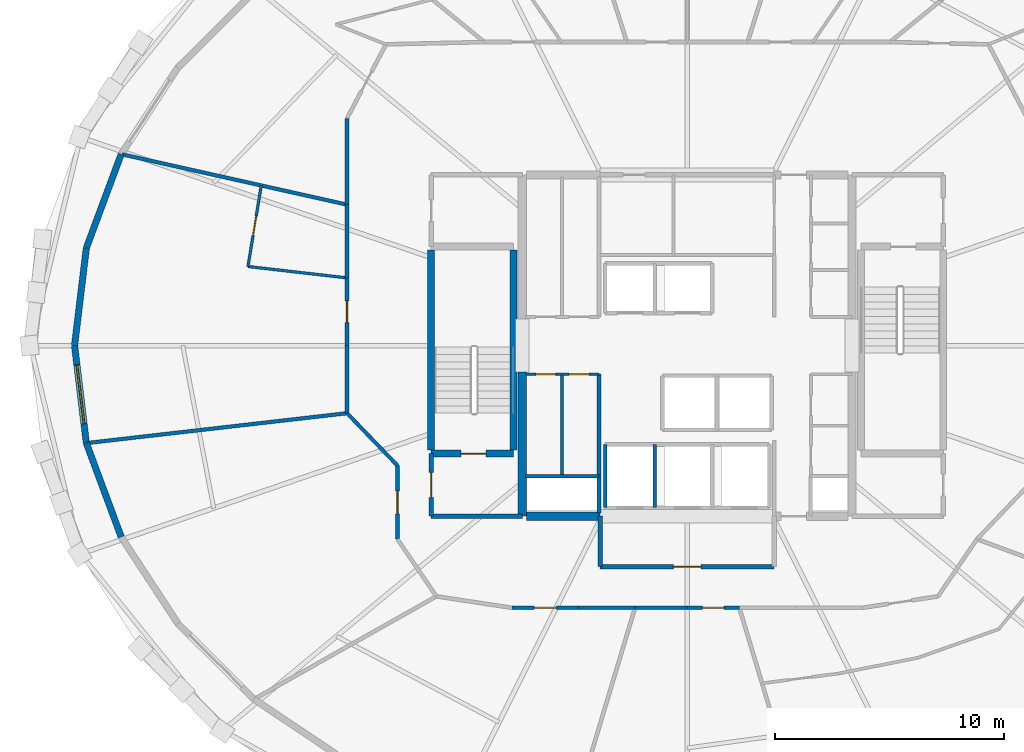
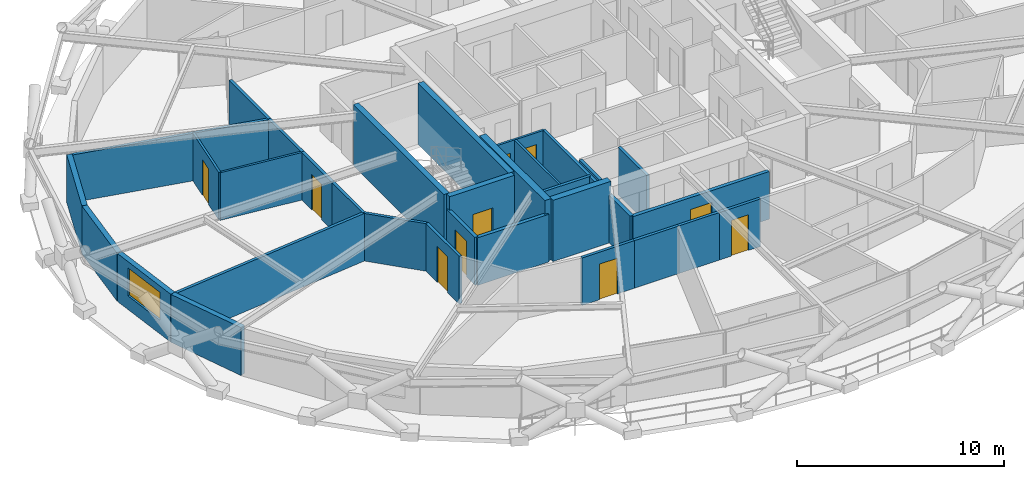
# One storey, part 13 of 20: 33 walls, 10 doors, 1 window, 11 openings.
"""IFC4 building model written with IfcOpenShell, lengths in metres."""

from ifc_helpers import new_model, si_unit, direction, frame, frame_2d, origin, place, context, subcontext, project, spatial, rectangle, extrude, material, layer, layer_set, type_object, element, fill, save


model = new_model("IFC4")

# Units and contexts
model_context = context("Model", 3, precision=1e-05, world=origin(), true_north=direction((0.0, 1.0)))
body_context = subcontext(model_context, "Body", "Model", "MODEL_VIEW")
ifc_project = project(units=[si_unit("LENGTHUNIT", "METRE"), si_unit("AREAUNIT", "SQUARE_METRE"), si_unit("VOLUMEUNIT", "CUBIC_METRE"), si_unit("PLANEANGLEUNIT", "RADIAN"), si_unit("MASSUNIT", "GRAM", prefix="KILO")], contexts=[model_context])

# Site, building, storey
site_placement = place(None, origin())
site = spatial("IfcSite", under=ifc_project, at=site_placement, CompositionType="ELEMENT")
building_placement = place(site_placement, origin())
building = spatial("IfcBuilding", under=site, at=building_placement, Name="Veldorina Hangang Commons", CompositionType="ELEMENT")
storey_placement = place(building_placement, frame((0.0, 0.0, 117.199951171875)))
storey = spatial("IfcBuildingStorey", under=building, at=storey_placement, Name="L29", CompositionType="ELEMENT", Elevation=117.199951171875)

# Walls
ifc_material_1 = material(Name="Concrete C60/75", Category="concrete")
ifc_layer_1 = layer(ifc_material_1, 0.360107421875)
ifc_layer_set_1 = layer_set([ifc_layer_1], Name="Concrete C60/75")
wall_type_1 = type_object("IfcWallType", Name="CW-RC360-C60", PredefinedType="SHEAR", material=ifc_layer_set_1)
wall_1_placement = place(storey_placement, frame((24.800048828125, 16.550048828125, 0.0), z_axis=(0.0, 0.0, 1.0), x_axis=(0.0, 1.0, 0.0)))
element("IfcWall", 1, at=wall_1_placement, inside=storey, type_object=wall_type_1, Name="L29 W south core shear wall", PredefinedType="SHEAR", context=body_context, shape_type="SweptSolid", body=[
    extrude(rectangle(XDim=6.300048828125, YDim=0.360107421875, at=frame_2d((3.14990234375, 0.0))), origin(), (0.0, 0.0, 1.0), 3.60009765625),
])
wall_2_placement = place(storey_placement, frame((24.97998046875, 16.550048828125, 0.0), z_axis=(0.0, 0.0, 1.0), x_axis=(1.0, 0.0, 0.0)))
element("IfcWall", 2, at=wall_2_placement, inside=storey, type_object=wall_type_1, Name="L29 south-west core shear wall", PredefinedType="SHEAR", context=body_context, shape_type="SweptSolid", body=[
    extrude(rectangle(XDim=3.219970703125, YDim=0.360107421875, at=frame_2d((1.60986328125, 0.0))), origin(), (0.0, 0.0, 1.0), 3.60009765625),
])
ifc_material_2 = material(Name="Stone Roman Travertine", Category="masonry")
ifc_layer_2 = layer(ifc_material_2, 0.280029296875)
ifc_layer_set_2 = layer_set([ifc_layer_2], Name="Stone Roman Travertine")
wall_type_2 = type_object("IfcWallType", Name="EW-TRAV-280", PredefinedType="STANDARD", material=ifc_layer_set_2)
wall_3_placement = place(storey_placement, frame((7.28955078125, 32.355712890625, 0.0), z_axis=(0.0, 0.0, 1.0), x_axis=(-0.34836047158, -0.937360646625, 0.0)))
element("IfcWall", 3, at=wall_3_placement, inside=storey, type_object=wall_type_2, Name="L29 travertine facade wall 14", PredefinedType="STANDARD", context=body_context, shape_type="SweptSolid", body=[
    extrude(rectangle(XDim=4.36962890625, YDim=0.280029296875, at=frame_2d((2.184814453125, 0.0))), origin(), (0.0, 0.0, 1.0), 2.820068359375),
])
wall_4_placement = place(storey_placement, frame((5.767333984375, 28.259765625, 0.0), z_axis=(0.0, 0.0, 1.0), x_axis=(-0.119775679937, -0.992800980306, 0.0)))
element("IfcWall", 4, at=wall_4_placement, inside=storey, type_object=wall_type_2, Name="L29 travertine facade wall 15", PredefinedType="STANDARD", context=body_context, shape_type="SweptSolid", body=[
    extrude(rectangle(XDim=4.290771484375, YDim=0.280029296875, at=frame_2d((2.1455078125, 0.0))), origin(), (0.0, 0.0, 1.0), 2.820068359375),
])

# Wall, opening, window
wall_5_placement = place(storey_placement, frame((5.25341796875, 24.0, 0.0), z_axis=(0.0, 0.0, 1.0), x_axis=(0.119775679937, -0.992800980306, 0.0)))
wall_5 = element("IfcWall", 5, at=wall_5_placement, inside=storey, type_object=wall_type_2, Name="L29 travertine facade wall 16", PredefinedType="STANDARD", context=body_context, shape_type="SweptSolid", body=[
    extrude(rectangle(XDim=4.290771484375, YDim=0.280029296875, at=frame_2d((2.1455078125, 0.0))), origin(), (0.0, 0.0, 1.0), 2.820068359375),
])
opening_1_placement = place(wall_5_placement, frame((0.84521484375, 0.0, 0.800048828125)))
opening_1 = element("IfcOpeningElement", 6, at=opening_1_placement, cuts=wall_5, Name="Opening W-02", PredefinedType="OPENING", context=body_context, shape_type="SweptSolid", body=[
    extrude(rectangle(XDim=2.60009765625, YDim=1.64990234375, at=frame_2d((1.300048828125, 0.824951171875))), frame((0.0, 0.14990234375, 0.0), z_axis=(0.0, -1.0, 0.0), x_axis=(1.0, 0.0, 0.0)), (0.0, 0.0, 1.0), 0.300048828125),
])
ifc_material_3 = material(Name="Glass Low-E Triple IGU", Category="glass")
window_type = type_object("IfcWindowType", Name="WIN-TWR-2600", PartitioningType="SINGLE_PANEL", PredefinedType="WINDOW", material=ifc_material_3)
window_placement = place(opening_1_placement, origin())
window = element("IfcWindow", 7, at=window_placement, inside=storey, type_object=window_type, Name="L29 facade window 16", OverallHeight=1.64990234375, OverallWidth=2.60009765625, PartitioningType="SINGLE_PANEL", PredefinedType="WINDOW", context=body_context, shape_type="SweptSolid", body=[
    extrude(rectangle(XDim=2.60009765625, YDim=1.64990234375, at=frame_2d((1.300048828125, 0.824951171875))), frame((0.0, 0.030029296875, 0.0), z_axis=(0.0, -1.0, 0.0), x_axis=(1.0, 0.0, 0.0)), (0.0, 0.0, 1.0), 0.06005859375),
])
fill(opening_1, window)

# Walls
wall_6_placement = place(storey_placement, frame((5.767333984375, 19.740234375, 0.0), z_axis=(0.0, 0.0, 1.0), x_axis=(0.34836047158, -0.937360646625, 0.0)))
element("IfcWall", 8, at=wall_6_placement, inside=storey, type_object=wall_type_2, Name="L29 travertine facade wall 17", PredefinedType="STANDARD", context=body_context, shape_type="SweptSolid", body=[
    extrude(rectangle(XDim=4.36962890625, YDim=0.280029296875, at=frame_2d((2.184814453125, 0.0))), origin(), (0.0, 0.0, 1.0), 2.820068359375),
])
ifc_material_4 = material(Name="Concrete C50/60", Category="concrete")
ifc_layer_3 = layer(ifc_material_4, 0.300048828125)
ifc_layer_set_3 = layer_set([ifc_layer_3], Name="Concrete C50/60")
wall_type_3 = type_object("IfcWallType", Name="SW-STAIR-300", PredefinedType="SHEAR", material=ifc_layer_set_3)
for number, where, z_axis, x_axis, name in (
    (9, (20.820068359375, 19.429931640625, 0.0), (0.0, 0.0, 1.0), (0.0, 1.0, 0.0), "L29 ST1 outer stair shear wall"),
    (10, (24.419921875, 19.429931640625, 0.0), (0.0, 0.0, 1.0), (0.0, 1.0, 0.0), "L29 ST1 inner stair shear wall"),
):
    element("IfcWall", number, at=place(storey_placement, frame(where, z_axis=z_axis, x_axis=x_axis)), inside=storey, type_object=wall_type_3, Name=name, PredefinedType="SHEAR", context=body_context, shape_type="SweptSolid", body=[
        extrude(rectangle(XDim=8.739990234375, YDim=0.300048828125, at=frame_2d((4.3701171875, 0.0))), origin(), (0.0, 0.0, 1.0), 3.60009765625),
    ])

# Wall, opening, door
wall_7_placement = place(storey_placement, frame((20.820068359375, 19.280029296875, 0.0), z_axis=(0.0, 0.0, 1.0), x_axis=(1.0, 0.0, 0.0)))
wall_7 = element("IfcWall", 11, at=wall_7_placement, inside=storey, type_object=wall_type_3, Name="L29 ST1 south stair shear wall", PredefinedType="SHEAR", context=body_context, shape_type="SweptSolid", body=[
    extrude(rectangle(XDim=3.599853515625, YDim=0.300048828125, at=frame_2d((1.7998046875, 0.0))), origin(), (0.0, 0.0, 1.0), 3.60009765625),
])
opening_2_placement = place(wall_7_placement, frame((1.300048828125, 0.0, 0.0)))
opening_2 = element("IfcOpeningElement", 12, at=opening_2_placement, cuts=wall_7, Name="Opening D-08", PredefinedType="OPENING", context=body_context, shape_type="SweptSolid", body=[
    extrude(rectangle(XDim=1.10009765625, YDim=2.10009765625, at=frame_2d((0.550048828125, 1.050048828125))), frame((0.0, 0.16015625, 0.0), z_axis=(0.0, -1.0, 0.0), x_axis=(1.0, 0.0, 0.0)), (0.0, 0.0, 1.0), 0.320068359375),
])
ifc_material_5 = material(Name="Steel Fire-Rated Smoke Seal", Category="steel")
door_type_1 = type_object("IfcDoorType", Name="DR-FIRE-1100", OperationType="SINGLE_SWING_RIGHT", PredefinedType="DOOR", material=ifc_material_5)
door_1_placement = place(opening_2_placement, origin())
door_1 = element("IfcDoor", 13, at=door_1_placement, inside=storey, type_object=door_type_1, Name="L29 Special Escape Stair ST-1 door", OperationType="SINGLE_SWING_LEFT", OverallHeight=2.10009765625, OverallWidth=1.10009765625, PredefinedType="DOOR", context=body_context, shape_type="SweptSolid", body=[
    extrude(rectangle(XDim=1.10009765625, YDim=2.10009765625, at=frame_2d((0.550048828125, 1.050048828125))), frame((0.0, 0.02490234375, 0.0), z_axis=(0.0, -1.0, 0.0), x_axis=(1.0, 0.0, 0.0)), (0.0, 0.0, 1.0), 0.050048828125),
])
fill(opening_2, door_1)

# Walls
ifc_material_6 = material(Name="Gypsum Fire-Rated Twin Stud Wall", Category="gypsum")
ifc_layer_4 = layer(ifc_material_6, 0.159912109375)
ifc_layer_set_4 = layer_set([ifc_layer_4], Name="Gypsum Fire-Rated Twin Stud Wall")
wall_type_4 = type_object("IfcWallType", Name="WL-FIRE-160", PredefinedType="SOLIDWALL", material=ifc_layer_set_4)
for number, where, z_axis, x_axis, name in (
    (14, (28.419921875, 16.919921875, 0.0), (0.0, 0.0, 1.0), (0.0, 1.0, 0.0), "L29 FFL-1 west shaft wall 027"),
    (15, (30.580078125, 16.919921875, 0.0), (0.0, 0.0, 1.0), (0.0, 1.0, 0.0), "L29 FFL-1 east shaft wall 028"),
):
    element("IfcWall", number, at=place(storey_placement, frame(where, z_axis=z_axis, x_axis=x_axis)), inside=storey, type_object=wall_type_4, Name=name, PredefinedType="SOLIDWALL", context=body_context, shape_type="SweptSolid", body=[
        extrude(rectangle(XDim=2.760009765625, YDim=0.159912109375, at=frame_2d((1.3798828125, 0.0))), origin(), (0.0, 0.0, 1.0), 2.800048828125),
    ])
wall_8_placement = place(storey_placement, frame((24.949951171875, 18.300048828125, 0.0), z_axis=(0.0, 0.0, 1.0), x_axis=(1.0, 0.0, 0.0)))
element("IfcWall", 16, at=wall_8_placement, inside=storey, type_object=wall_type_4, Name="L29 Electrical riser wall 035", PredefinedType="SOLIDWALL", context=body_context, shape_type="SweptSolid", body=[
    extrude(rectangle(XDim=3.199951171875, YDim=0.159912109375, at=frame_2d((1.60009765625, 0.0))), origin(), (0.0, 0.0, 1.0), 2.800048828125),
])
wall_9_placement = place(storey_placement, frame((28.14990234375, 16.699951171875, 0.0), z_axis=(0.0, 0.0, 1.0), x_axis=(0.0, 1.0, 0.0)))
element("IfcWall", 17, at=wall_9_placement, inside=storey, type_object=wall_type_4, Name="L29 SW core inner wall 036", PredefinedType="SOLIDWALL", context=body_context, shape_type="SweptSolid", body=[
    extrude(rectangle(XDim=6.050048828125, YDim=0.159912109375, at=frame_2d((3.02490234375, 0.0))), origin(), (0.0, 0.0, 1.0), 2.800048828125),
])
wall_10_placement = place(storey_placement, frame((17.14990234375, 33.922607421875, 0.0), z_axis=(0.0, 0.0, 1.0), x_axis=(0.0, -1.0, 0.0)))
element("IfcWall", 18, at=wall_10_placement, inside=storey, type_object=wall_type_4, Name="L29 U-corridor outer wall 13 063", PredefinedType="SOLIDWALL", context=body_context, shape_type="SweptSolid", body=[
    extrude(rectangle(XDim=3.771484375, YDim=0.159912109375, at=frame_2d((1.8857421875, 0.0))), origin(), (0.0, 0.0, 1.0), 2.800048828125),
])
wall_11_placement = place(storey_placement, frame((17.14990234375, 30.151123046875, 0.0), z_axis=(0.0, 0.0, 1.0), x_axis=(0.0, -1.0, 0.0)))
element("IfcWall", 19, at=wall_11_placement, inside=storey, type_object=wall_type_4, Name="L29 U-corridor outer wall 14 064", PredefinedType="SOLIDWALL", context=body_context, shape_type="SweptSolid", body=[
    extrude(rectangle(XDim=3.197265625, YDim=0.159912109375, at=frame_2d((1.5986328125, 0.0))), origin(), (0.0, 0.0, 1.0), 2.800048828125),
])

# Wall, opening, door
wall_12_placement = place(storey_placement, frame((17.14990234375, 26.953857421875, 0.0), z_axis=(0.0, 0.0, 1.0), x_axis=(0.0, -1.0, 0.0)))
wall_12 = element("IfcWall", 20, at=wall_12_placement, inside=storey, type_object=wall_type_4, Name="L29 U-corridor outer wall 15 065", PredefinedType="SOLIDWALL", context=body_context, shape_type="SweptSolid", body=[
    extrude(rectangle(XDim=2.953857421875, YDim=0.159912109375, at=frame_2d((1.47705078125, 0.0))), origin(), (0.0, 0.0, 1.0), 2.800048828125),
])
opening_3_placement = place(wall_12_placement, frame((1.001953125, 0.0, 0.0)))
opening_3 = element("IfcOpeningElement", 21, at=opening_3_placement, cuts=wall_12, Name="Opening D-03", PredefinedType="OPENING", context=body_context, shape_type="SweptSolid", body=[
    extrude(rectangle(XDim=0.949951171875, YDim=2.10009765625, at=frame_2d((0.47509765625, 1.050048828125))), frame((0.0, 0.08984375, 0.0), z_axis=(0.0, -1.0, 0.0), x_axis=(1.0, 0.0, 0.0)), (0.0, 0.0, 1.0), 0.179931640625),
])
ifc_material_7 = material(Name="Timber Fire-Rated Entrance Core", Category="wood")
door_type_2 = type_object("IfcDoorType", Name="DR-UNIT-950", OperationType="SINGLE_SWING_RIGHT", PredefinedType="DOOR", material=ifc_material_7)
door_2_placement = place(opening_3_placement, origin())
door_2 = element("IfcDoor", 22, at=door_2_placement, inside=storey, type_object=door_type_2, Name="L29 Studio 10 entrance door 041", OperationType="SINGLE_SWING_LEFT", OverallHeight=2.10009765625, OverallWidth=0.949951171875, PredefinedType="DOOR", context=body_context, shape_type="SweptSolid", body=[
    extrude(rectangle(XDim=0.949951171875, YDim=2.10009765625, at=frame_2d((0.47509765625, 1.050048828125))), frame((0.0, 0.02490234375, 0.0), z_axis=(0.0, -1.0, 0.0), x_axis=(1.0, 0.0, 0.0)), (0.0, 0.0, 1.0), 0.050048828125),
])
fill(opening_3, door_2)

# Walls
wall_13_placement = place(storey_placement, frame((17.14990234375, 24.0, 0.0), z_axis=(0.0, 0.0, 1.0), x_axis=(0.0, -1.0, 0.0)))
element("IfcWall", 23, at=wall_13_placement, inside=storey, type_object=wall_type_4, Name="L29 U-corridor outer wall 16 066", PredefinedType="SOLIDWALL", context=body_context, shape_type="SweptSolid", body=[
    extrude(rectangle(XDim=2.953857421875, YDim=0.159912109375, at=frame_2d((1.47705078125, 0.0))), origin(), (0.0, 0.0, 1.0), 2.800048828125),
])
wall_14_placement = place(storey_placement, frame((17.14990234375, 21.046142578125, 0.0), z_axis=(0.0, 0.0, 1.0), x_axis=(0.693473090138, -0.72048252807, 0.0)))
element("IfcWall", 24, at=wall_14_placement, inside=storey, type_object=wall_type_4, Name="L29 U-corridor outer wall 17 067", PredefinedType="SOLIDWALL", context=body_context, shape_type="SweptSolid", body=[
    extrude(rectangle(XDim=3.172607421875, YDim=0.159912109375, at=frame_2d((1.58642578125, 0.0))), origin(), (0.0, 0.0, 1.0), 2.800048828125),
])

# Wall, opening, door
wall_15_placement = place(storey_placement, frame((19.35009765625, 18.76025390625, 0.0), z_axis=(0.0, 0.0, 1.0), x_axis=(0.0, -1.0, 0.0)))
wall_15 = element("IfcWall", 25, at=wall_15_placement, inside=storey, type_object=wall_type_4, Name="L29 U-corridor outer wall 18 068", PredefinedType="SOLIDWALL", context=body_context, shape_type="SweptSolid", body=[
    extrude(rectangle(XDim=3.212646484375, YDim=0.159912109375, at=frame_2d((1.6064453125, 0.0))), origin(), (0.0, 0.0, 1.0), 2.800048828125),
])
opening_4_placement = place(wall_15_placement, frame((1.106201171875, 0.0, 0.0)))
opening_4 = element("IfcOpeningElement", 26, at=opening_4_placement, cuts=wall_15, Name="Opening D-05", PredefinedType="OPENING", context=body_context, shape_type="SweptSolid", body=[
    extrude(rectangle(XDim=1.0, YDim=2.10009765625, at=frame_2d((0.5, 1.050048828125))), frame((0.0, 0.08984375, 0.0), z_axis=(0.0, -1.0, 0.0), x_axis=(1.0, 0.0, 0.0)), (0.0, 0.0, 1.0), 0.179931640625),
])
ifc_material_8 = material(Name="Timber Solid Core Acoustic", Category="wood")
door_type_3 = type_object("IfcDoorType", Name="DR-INT-1000", OperationType="SINGLE_SWING_RIGHT", PredefinedType="DOOR", material=ifc_material_8)
door_3_placement = place(opening_4_placement, origin())
door_3 = element("IfcDoor", 27, at=door_3_placement, inside=storey, type_object=door_type_3, Name="L29 Floor Study Room 11 door 042", OperationType="SINGLE_SWING_RIGHT", OverallHeight=2.10009765625, OverallWidth=1.0, PredefinedType="DOOR", context=body_context, shape_type="SweptSolid", body=[
    extrude(rectangle(XDim=1.0, YDim=2.10009765625, at=frame_2d((0.5, 1.050048828125))), frame((0.0, 0.02490234375, 0.0), z_axis=(0.0, -1.0, 0.0), x_axis=(1.0, 0.0, 0.0)), (0.0, 0.0, 1.0), 0.050048828125),
])
fill(opening_4, door_3)

wall_16_placement = place(storey_placement, frame((24.349365234375, 12.550048828125, 0.0), z_axis=(0.0, 0.0, 1.0), x_axis=(1.0, 0.0, 0.0)))
wall_16 = element("IfcWall", 28, at=wall_16_placement, inside=storey, type_object=wall_type_4, Name="L29 U-corridor outer wall 21 071", PredefinedType="SOLIDWALL", context=body_context, shape_type="SweptSolid", body=[
    extrude(rectangle(XDim=2.907958984375, YDim=0.159912109375, at=frame_2d((1.4541015625, 0.0))), origin(), (0.0, 0.0, 1.0), 2.800048828125),
])
opening_5_placement = place(wall_16_placement, frame((0.9541015625, 0.0, 0.0)))
opening_5 = element("IfcOpeningElement", 29, at=opening_5_placement, cuts=wall_16, Name="Opening D-05", PredefinedType="OPENING", context=body_context, shape_type="SweptSolid", body=[
    extrude(rectangle(XDim=1.0, YDim=2.10009765625, at=frame_2d((0.5, 1.050048828125))), frame((0.0, 0.08984375, 0.0), z_axis=(0.0, -1.0, 0.0), x_axis=(1.0, 0.0, 0.0)), (0.0, 0.0, 1.0), 0.179931640625),
])
door_4_placement = place(opening_5_placement, origin())
door_4 = element("IfcDoor", 30, at=door_4_placement, inside=storey, type_object=door_type_3, Name="L29 Seminar Focus Room 12 door 043", OperationType="SINGLE_SWING_LEFT", OverallHeight=2.10009765625, OverallWidth=1.0, PredefinedType="DOOR", context=body_context, shape_type="SweptSolid", body=[
    extrude(rectangle(XDim=1.0, YDim=2.10009765625, at=frame_2d((0.5, 1.050048828125))), frame((0.0, 0.02490234375, 0.0), z_axis=(0.0, -1.0, 0.0), x_axis=(1.0, 0.0, 0.0)), (0.0, 0.0, 1.0), 0.050048828125),
])
fill(opening_5, door_4)

# Walls
wall_17_placement = place(storey_placement, frame((27.25732421875, 12.550048828125, 0.0), z_axis=(0.0, 0.0, 1.0), x_axis=(1.0, 0.0, 0.0)))
element("IfcWall", 31, at=wall_17_placement, inside=storey, type_object=wall_type_4, Name="L29 U-corridor outer wall 22 072", PredefinedType="SOLIDWALL", context=body_context, shape_type="SweptSolid", body=[
    extrude(rectangle(XDim=2.465087890625, YDim=0.159912109375, at=frame_2d((1.232421875, 0.0))), origin(), (0.0, 0.0, 1.0), 2.800048828125),
])
wall_18_placement = place(storey_placement, frame((29.722412109375, 12.550048828125, 0.0), z_axis=(0.0, 0.0, 1.0), x_axis=(1.0, 0.0, 0.0)))
element("IfcWall", 32, at=wall_18_placement, inside=storey, type_object=wall_type_4, Name="L29 U-corridor outer wall 23 073", PredefinedType="SOLIDWALL", context=body_context, shape_type="SweptSolid", body=[
    extrude(rectangle(XDim=2.277587890625, YDim=0.159912109375, at=frame_2d((1.138671875, 0.0))), origin(), (0.0, 0.0, 1.0), 2.800048828125),
])

# Wall, opening, door
wall_19_placement = place(storey_placement, frame((32.0, 12.550048828125, 0.0), z_axis=(0.0, 0.0, 1.0), x_axis=(1.0, 0.0, 0.0)))
wall_19 = element("IfcWall", 33, at=wall_19_placement, inside=storey, type_object=wall_type_4, Name="L29 U-corridor outer wall 24 074", PredefinedType="SOLIDWALL", context=body_context, shape_type="SweptSolid", body=[
    extrude(rectangle(XDim=2.277587890625, YDim=0.159912109375, at=frame_2d((1.138671875, 0.0))), origin(), (0.0, 0.0, 1.0), 2.800048828125),
])
opening_6_placement = place(wall_19_placement, frame((0.663818359375, 0.0, 0.0)))
opening_6 = element("IfcOpeningElement", 34, at=opening_6_placement, cuts=wall_19, Name="Opening D-02", PredefinedType="OPENING", context=body_context, shape_type="SweptSolid", body=[
    extrude(rectangle(XDim=0.949951171875, YDim=2.10009765625, at=frame_2d((0.47509765625, 1.050048828125))), frame((0.0, 0.08984375, 0.0), z_axis=(0.0, -1.0, 0.0), x_axis=(1.0, 0.0, 0.0)), (0.0, 0.0, 1.0), 0.179931640625),
])
door_type_4 = type_object("IfcDoorType", Name="DR-INT-950", OperationType="SINGLE_SWING_LEFT", PredefinedType="DOOR", material=ifc_material_8)
door_5_placement = place(opening_6_placement, origin())
door_5 = element("IfcDoor", 35, at=door_5_placement, inside=storey, type_object=door_type_4, Name="L29 Linen drying store door 044", OperationType="SINGLE_SWING_RIGHT", OverallHeight=2.10009765625, OverallWidth=0.949951171875, PredefinedType="DOOR", context=body_context, shape_type="SweptSolid", body=[
    extrude(rectangle(XDim=0.949951171875, YDim=2.10009765625, at=frame_2d((0.47509765625, 1.050048828125))), frame((0.0, 0.02490234375, 0.0), z_axis=(0.0, -1.0, 0.0), x_axis=(1.0, 0.0, 0.0)), (0.0, 0.0, 1.0), 0.050048828125),
])
fill(opening_6, door_5)

# Walls
wall_20_placement = place(storey_placement, frame((17.14990234375, 30.151123046875, 0.0), z_axis=(0.0, 0.0, 1.0), x_axis=(-0.975906846943, 0.218187593804, 0.0)))
element("IfcWall", 36, at=wall_20_placement, inside=storey, type_object=wall_type_4, Name="L29 Unit party wall 14 111", PredefinedType="SOLIDWALL", context=body_context, shape_type="SweptSolid", body=[
    extrude(rectangle(XDim=10.0537109375, YDim=0.159912109375, at=frame_2d((5.02685546875, 0.0))), origin(), (0.0, 0.0, 1.0), 2.800048828125),
])
wall_21_placement = place(storey_placement, frame((17.14990234375, 21.046142578125, 0.0), z_axis=(0.0, 0.0, 1.0), x_axis=(-0.993484362684, -0.113968509259, 0.0)))
element("IfcWall", 37, at=wall_21_placement, inside=storey, type_object=wall_type_4, Name="L29 Unit party wall 17 114", PredefinedType="SOLIDWALL", context=body_context, shape_type="SweptSolid", body=[
    extrude(rectangle(XDim=11.406982421875, YDim=0.159912109375, at=frame_2d((5.70361328125, 0.0))), origin(), (0.0, 0.0, 1.0), 2.800048828125),
])

# Wall, opening, door
ifc_material_9 = material(Name="Concrete Blockwork Fire Wall C30/37", Category="masonry")
ifc_layer_5 = layer(ifc_material_9, 0.199951171875)
ifc_layer_set_5 = layer_set([ifc_layer_5], Name="Concrete Blockwork Fire Wall C30/37")
wall_type_5 = type_object("IfcWallType", Name="WL-FIRE-200", PredefinedType="SOLIDWALL", material=ifc_layer_set_5)
wall_22_placement = place(storey_placement, frame((20.820068359375, 16.550048828125, 0.0), z_axis=(0.0, 0.0, 1.0), x_axis=(0.0, 1.0, 0.0)))
wall_22 = element("IfcWall", 38, at=wall_22_placement, inside=storey, type_object=wall_type_5, Name="L29 West vestibule outer wall 001", PredefinedType="SOLIDWALL", context=body_context, shape_type="SweptSolid", body=[
    extrude(rectangle(XDim=2.72998046875, YDim=0.199951171875, at=frame_2d((1.364990234375, 0.0))), origin(), (0.0, 0.0, 1.0), 2.800048828125),
])
opening_7_placement = place(wall_22_placement, frame((0.81494140625, 0.0, 0.0)))
opening_7 = element("IfcOpeningElement", 39, at=opening_7_placement, cuts=wall_22, Name="Opening D-08", PredefinedType="OPENING", context=body_context, shape_type="SweptSolid", body=[
    extrude(rectangle(XDim=1.10009765625, YDim=2.10009765625, at=frame_2d((0.550048828125, 1.050048828125))), frame((0.0, 0.10986328125, 0.0), z_axis=(0.0, -1.0, 0.0), x_axis=(1.0, 0.0, 0.0)), (0.0, 0.0, 1.0), 0.219970703125),
])
door_6_placement = place(opening_7_placement, origin())
door_6 = element("IfcDoor", 40, at=door_6_placement, inside=storey, type_object=door_type_1, Name="L29 West vestibule west door 001", OperationType="SINGLE_SWING_LEFT", OverallHeight=2.10009765625, OverallWidth=1.10009765625, PredefinedType="DOOR", context=body_context, shape_type="SweptSolid", body=[
    extrude(rectangle(XDim=1.10009765625, YDim=2.10009765625, at=frame_2d((0.550048828125, 1.050048828125))), frame((0.0, 0.02490234375, 0.0), z_axis=(0.0, -1.0, 0.0), x_axis=(1.0, 0.0, 0.0)), (0.0, 0.0, 1.0), 0.050048828125),
])
fill(opening_7, door_6)

# Walls
wall_23_placement = place(storey_placement, frame((20.820068359375, 16.550048828125, 0.0), z_axis=(0.0, 0.0, 1.0), x_axis=(1.0, 0.0, 0.0)))
element("IfcWall", 41, at=wall_23_placement, inside=storey, type_object=wall_type_5, Name="L29 West vestibule south wall 002", PredefinedType="SOLIDWALL", context=body_context, shape_type="SweptSolid", body=[
    extrude(rectangle(XDim=3.97998046875, YDim=0.199951171875, at=frame_2d((1.989990234375, 0.0))), origin(), (0.0, 0.0, 1.0), 2.800048828125),
])
wall_24_placement = place(storey_placement, frame((28.199951171875, 14.35009765625, 0.0), z_axis=(0.0, 0.0, 1.0), x_axis=(0.0, 1.0, 0.0)))
element("IfcWall", 42, at=wall_24_placement, inside=storey, type_object=wall_type_5, Name="L29 FF lobby west wall 012", PredefinedType="SOLIDWALL", context=body_context, shape_type="SweptSolid", body=[
    extrude(rectangle(XDim=2.199951171875, YDim=0.199951171875, at=frame_2d((1.10009765625, 0.0))), origin(), (0.0, 0.0, 1.0), 2.800048828125),
])

# Wall, opening, door
wall_25_placement = place(storey_placement, frame((28.199951171875, 14.35009765625, 0.0), z_axis=(0.0, 0.0, 1.0), x_axis=(1.0, 0.0, 0.0)))
wall_25 = element("IfcWall", 43, at=wall_25_placement, inside=storey, type_object=wall_type_5, Name="L29 FF lobby south wall 014", PredefinedType="SOLIDWALL", context=body_context, shape_type="SweptSolid", body=[
    extrude(rectangle(XDim=7.60009765625, YDim=0.199951171875, at=frame_2d((3.800048828125, 0.0))), origin(), (0.0, 0.0, 1.0), 2.800048828125),
])
opening_8_placement = place(wall_25_placement, frame((3.199951171875, 0.0, 0.0)))
opening_8 = element("IfcOpeningElement", 44, at=opening_8_placement, cuts=wall_25, Name="Opening D-09", PredefinedType="OPENING", context=body_context, shape_type="SweptSolid", body=[
    extrude(rectangle(XDim=1.199951171875, YDim=2.10009765625, at=frame_2d((0.60009765625, 1.050048828125))), frame((0.0, 0.10986328125, 0.0), z_axis=(0.0, -1.0, 0.0), x_axis=(1.0, 0.0, 0.0)), (0.0, 0.0, 1.0), 0.219970703125),
])
ifc_material_10 = material(Name="Steel Fire-Rated Corridor Door", Category="steel")
door_type_5 = type_object("IfcDoorType", Name="DR-FIRE-1200", OperationType="SINGLE_SWING_LEFT", PredefinedType="DOOR", material=ifc_material_10)
door_7_placement = place(opening_8_placement, origin())
door_7 = element("IfcDoor", 45, at=door_7_placement, inside=storey, type_object=door_type_5, Name="L29 FF lobby south corridor door 005", OperationType="SINGLE_SWING_LEFT", OverallHeight=2.10009765625, OverallWidth=1.199951171875, PredefinedType="DOOR", context=body_context, shape_type="SweptSolid", body=[
    extrude(rectangle(XDim=1.199951171875, YDim=2.10009765625, at=frame_2d((0.60009765625, 1.050048828125))), frame((0.0, 0.02490234375, 0.0), z_axis=(0.0, -1.0, 0.0), x_axis=(1.0, 0.0, 0.0)), (0.0, 0.0, 1.0), 0.050048828125),
])
fill(opening_8, door_7)

# Wall, openings, doors
ifc_material_11 = material(Name="Gypsum Acoustic Stud Partition", Category="gypsum")
ifc_layer_6 = layer(ifc_material_11, 0.1201171875)
ifc_layer_set_6 = layer_set([ifc_layer_6], Name="Gypsum Acoustic Stud Partition")
wall_type_6 = type_object("IfcWallType", Name="WL-PART-120", PredefinedType="PARTITIONING", material=ifc_layer_set_6)
wall_26_placement = place(storey_placement, frame((24.949951171875, 22.75, 0.0), z_axis=(0.0, 0.0, 1.0), x_axis=(1.0, 0.0, 0.0)))
wall_26 = element("IfcWall", 46, at=wall_26_placement, inside=storey, type_object=wall_type_6, Name="L29 SW service north wall 040", PredefinedType="PARTITIONING", context=body_context, shape_type="SweptSolid", body=[
    extrude(rectangle(XDim=3.199951171875, YDim=0.1201171875, at=frame_2d((1.60009765625, 0.0))), origin(), (0.0, 0.0, 1.0), 2.800048828125),
])
opening_9_placement = place(wall_26_placement, frame((0.43994140625, 0.0, 0.0)))
opening_9 = element("IfcOpeningElement", 47, at=opening_9_placement, cuts=wall_26, Name="Opening D-01", PredefinedType="OPENING", context=body_context, shape_type="SweptSolid", body=[
    extrude(rectangle(XDim=0.860107421875, YDim=2.10009765625, at=frame_2d((0.43017578125, 1.050048828125))), frame((0.0, 0.070068359375, 0.0), z_axis=(0.0, -1.0, 0.0), x_axis=(1.0, 0.0, 0.0)), (0.0, 0.0, 1.0), 0.14013671875),
])
opening_10_placement = place(wall_26_placement, frame((1.89990234375, 0.0, 0.0)))
opening_10 = element("IfcOpeningElement", 48, at=opening_10_placement, cuts=wall_26, Name="Opening D-01", PredefinedType="OPENING", context=body_context, shape_type="SweptSolid", body=[
    extrude(rectangle(XDim=0.860107421875, YDim=2.10009765625, at=frame_2d((0.43017578125, 1.050048828125))), frame((0.0, 0.070068359375, 0.0), z_axis=(0.0, -1.0, 0.0), x_axis=(1.0, 0.0, 0.0)), (0.0, 0.0, 1.0), 0.14013671875),
])
ifc_material_12 = material(Name="Timber Moisture-Resistant Core", Category="wood")
door_type_6 = type_object("IfcDoorType", Name="DR-WET-860", OperationType="SINGLE_SWING_LEFT", PredefinedType="DOOR", material=ifc_material_12)
door_8_placement = place(opening_9_placement, origin())
door_8 = element("IfcDoor", 49, at=door_8_placement, inside=storey, type_object=door_type_6, Name="L29 Cleaners door 015", OperationType="SINGLE_SWING_LEFT", OverallHeight=2.10009765625, OverallWidth=0.860107421875, PredefinedType="DOOR", context=body_context, shape_type="SweptSolid", body=[
    extrude(rectangle(XDim=0.860107421875, YDim=2.10009765625, at=frame_2d((0.43017578125, 1.050048828125))), frame((0.0, 0.02490234375, 0.0), z_axis=(0.0, -1.0, 0.0), x_axis=(1.0, 0.0, 0.0)), (0.0, 0.0, 1.0), 0.050048828125),
])
fill(opening_9, door_8)
door_9_placement = place(opening_10_placement, origin())
door_9 = element("IfcDoor", 50, at=door_9_placement, inside=storey, type_object=door_type_6, Name="L29 Metering door 016", OperationType="SINGLE_SWING_RIGHT", OverallHeight=2.10009765625, OverallWidth=0.860107421875, PredefinedType="DOOR", context=body_context, shape_type="SweptSolid", body=[
    extrude(rectangle(XDim=0.860107421875, YDim=2.10009765625, at=frame_2d((0.43017578125, 1.050048828125))), frame((0.0, 0.02490234375, 0.0), z_axis=(0.0, -1.0, 0.0), x_axis=(1.0, 0.0, 0.0)), (0.0, 0.0, 1.0), 0.050048828125),
])
fill(opening_10, door_9)

# Wall
wall_27_placement = place(storey_placement, frame((26.530029296875, 18.300048828125, 0.0), z_axis=(0.0, 0.0, 1.0), x_axis=(0.0, 1.0, 0.0)))
element("IfcWall", 51, at=wall_27_placement, inside=storey, type_object=wall_type_6, Name="L29 SW vertical split 046", PredefinedType="PARTITIONING", context=body_context, shape_type="SweptSolid", body=[
    extrude(rectangle(XDim=4.449951171875, YDim=0.1201171875, at=frame_2d((2.22509765625, 0.0))), origin(), (0.0, 0.0, 1.0), 2.800048828125),
])

# Wall, opening, door
wall_28_placement = place(storey_placement, frame((13.403076171875, 30.98876953125, 0.0), z_axis=(0.0, 0.0, 1.0), x_axis=(-0.161295662085, -0.98690612998, 0.0)))
wall_28 = element("IfcWall", 52, at=wall_28_placement, inside=storey, type_object=wall_type_6, Name="L29 Studio 10 bath front wall 112", PredefinedType="PARTITIONING", context=body_context, shape_type="SweptSolid", body=[
    extrude(rectangle(XDim=3.585693359375, YDim=0.1201171875, at=frame_2d((1.79296875, 0.0))), origin(), (0.0, 0.0, 1.0), 2.800048828125),
])
opening_11_placement = place(wall_28_placement, frame((1.36279296875, 0.0, 0.0)))
opening_11 = element("IfcOpeningElement", 53, at=opening_11_placement, cuts=wall_28, Name="Opening D-01", PredefinedType="OPENING", context=body_context, shape_type="SweptSolid", body=[
    extrude(rectangle(XDim=0.860107421875, YDim=2.10009765625, at=frame_2d((0.43017578125, 1.050048828125))), frame((0.0, 0.070068359375, 0.0), z_axis=(0.0, -1.0, 0.0), x_axis=(1.0, 0.0, 0.0)), (0.0, 0.0, 1.0), 0.14013671875),
])
door_10_placement = place(opening_11_placement, origin())
door_10 = element("IfcDoor", 54, at=door_10_placement, inside=storey, type_object=door_type_6, Name="L29 Studio 10 bathroom door 040", OperationType="SINGLE_SWING_RIGHT", OverallHeight=2.10009765625, OverallWidth=0.860107421875, PredefinedType="DOOR", context=body_context, shape_type="SweptSolid", body=[
    extrude(rectangle(XDim=0.860107421875, YDim=2.10009765625, at=frame_2d((0.43017578125, 1.050048828125))), frame((0.0, 0.02490234375, 0.0), z_axis=(0.0, -1.0, 0.0), x_axis=(1.0, 0.0, 0.0)), (0.0, 0.0, 1.0), 0.050048828125),
])
fill(opening_11, door_10)

# Wall
wall_29_placement = place(storey_placement, frame((17.14990234375, 26.953857421875, 0.0), z_axis=(0.0, 0.0, 1.0), x_axis=(-0.993486317504, 0.11395146744, 0.0)))
element("IfcWall", 55, at=wall_29_placement, inside=storey, type_object=wall_type_6, Name="L29 Studio 10 bath side wall 113", PredefinedType="PARTITIONING", context=body_context, shape_type="SweptSolid", body=[
    extrude(rectangle(XDim=4.353515625, YDim=0.1201171875, at=frame_2d((2.1767578125, 0.0))), origin(), (0.0, 0.0, 1.0), 2.800048828125),
])

save(model, "model.ifc")
